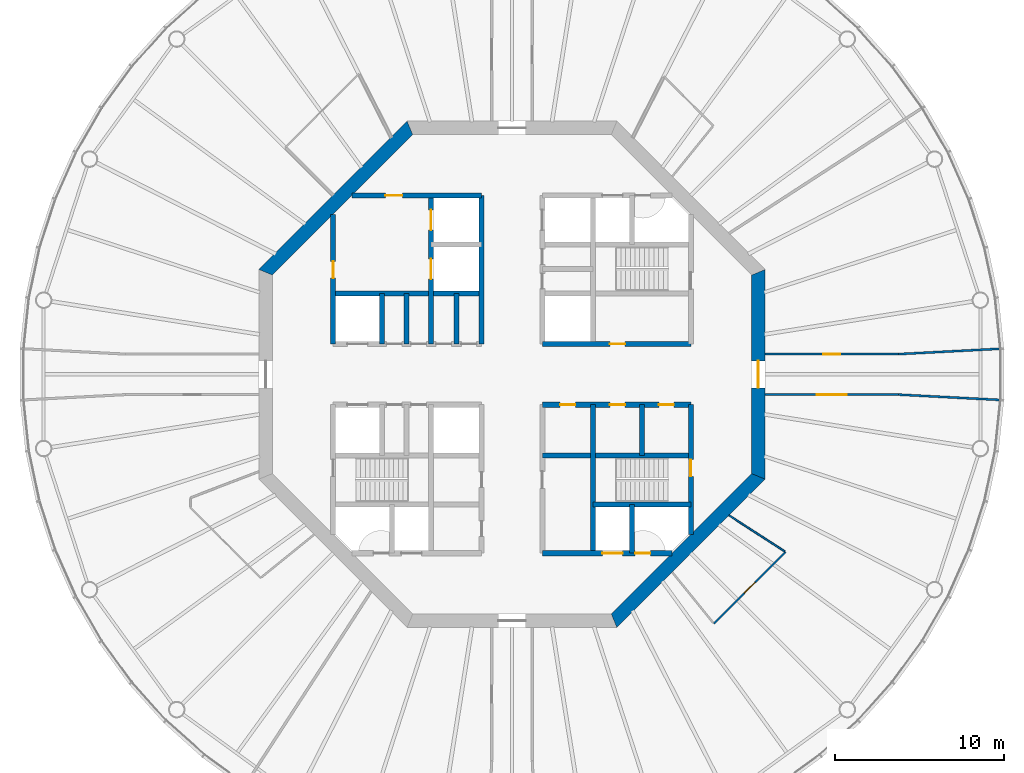
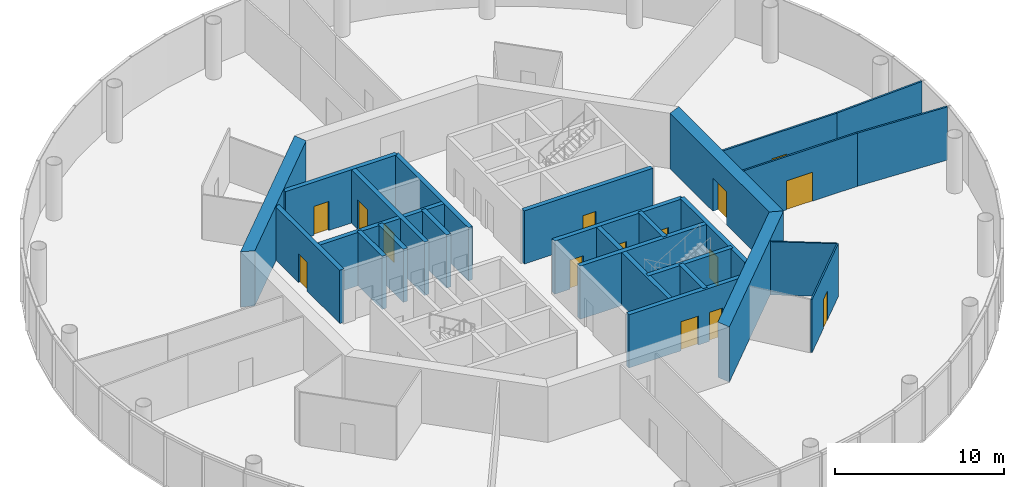
# One storey, part 4 of 13: 26 walls, 15 doors, 15 openings.
"""IFC4 building model written with IfcOpenShell, lengths in metres."""

from ifc_helpers import new_model, si_unit, direction, frame, frame_2d, origin, place, context, subcontext, project, spatial, polyline, rectangle, outline, extrude, material, layer, layer_set, type_object, element, fill, save


model = new_model("IFC4")

# Units and contexts
model_context = context("Model", 3, precision=1e-05, world=origin(), true_north=direction((0.0, 1.0)))
body_context = subcontext(model_context, "Body", "Model", "MODEL_VIEW")
ifc_project = project(units=[si_unit("LENGTHUNIT", "METRE"), si_unit("AREAUNIT", "SQUARE_METRE"), si_unit("VOLUMEUNIT", "CUBIC_METRE"), si_unit("PLANEANGLEUNIT", "RADIAN"), si_unit("MASSUNIT", "GRAM", prefix="KILO")], contexts=[model_context])

# Site, building, storey
site_placement = place(None, origin())
site = spatial("IfcSite", under=ifc_project, at=site_placement, CompositionType="ELEMENT")
building_placement = place(site_placement, origin())
building = spatial("IfcBuilding", under=site, at=building_placement, Name="Entoto Ring Tower", CompositionType="ELEMENT")
storey_placement = place(building_placement, frame((0.0, 0.0, 298.0)))
storey = spatial("IfcBuildingStorey", under=building, at=storey_placement, Name="L68", CompositionType="ELEMENT", Elevation=298.0)

# Wall, opening, door
ifc_material_1 = material(Name="Concrete C40/50", Category="concrete")
ifc_layer_1 = layer(ifc_material_1, 0.300048828125)
ifc_layer_set_1 = layer_set([ifc_layer_1], Name="Concrete C40/50")
wall_type_1 = type_object("IfcWallType", Name="Core enclosure wall 300 mm reinforced concrete", PredefinedType="SOLIDWALL", material=ifc_layer_set_1)
wall_1_placement = place(storey_placement, frame((100.60009765625, 70.518310546875, 0.0), z_axis=(0.0, 0.0, 1.0), x_axis=(0.0, 1.0, 0.0)))
wall_1 = element("IfcWall", 1, at=wall_1_placement, inside=storey, type_object=wall_type_1, Name="wall-L68-001", PredefinedType="SOLIDWALL", context=body_context, shape_type="SweptSolid", body=[
    extrude(rectangle(XDim=7.681640625, YDim=0.300048828125, at=frame_2d((3.8408203125, 0.0))), origin(), (0.0, 0.0, 1.0), 3.85009765625),
])
opening_1_placement = place(wall_1_placement, frame((3.431884765625, 0.0, 0.0)))
opening_1 = element("IfcOpeningElement", 2, at=opening_1_placement, cuts=wall_1, Name="Opening K-28", PredefinedType="OPENING", context=body_context, shape_type="SweptSolid", body=[
    extrude(rectangle(XDim=1.0, YDim=2.10009765625, at=frame_2d((0.5, 1.050048828125))), frame((0.0, 0.16015625, 0.0), z_axis=(0.0, -1.0, 0.0), x_axis=(1.0, 0.0, 0.0)), (0.0, 0.0, 1.0), 0.320068359375),
])
ifc_material_2 = material(Name="Steel door leaf, fire rated", Category="steel")
ifc_layer_2 = layer(ifc_material_2, 0.050048828125)
ifc_layer_set_2 = layer_set([ifc_layer_2], Name="Steel door leaf, fire rated")
door_type_1 = type_object("IfcDoorType", Name="Fire door FD60 1000 x 2100 single leaf", OperationType="NOTDEFINED", PredefinedType="DOOR", material=ifc_layer_set_2)
door_1_placement = place(opening_1_placement, origin())
door_1 = element("IfcDoor", 3, at=door_1_placement, inside=storey, type_object=door_type_1, Name="Door K-28", OperationType="SINGLE_SWING_RIGHT", OverallHeight=2.10009765625, OverallWidth=1.0, PredefinedType="DOOR", context=body_context, shape_type="SweptSolid", body=[
    extrude(rectangle(XDim=1.0, YDim=2.10009765625, at=frame_2d((0.5, 1.050048828125))), frame((0.0, 0.02490234375, 0.0), z_axis=(0.0, -1.0, 0.0), x_axis=(1.0, 0.0, 0.0)), (0.0, 0.0, 1.0), 0.050048828125),
])
fill(opening_1, door_1)

# Walls
wall_2_placement = place(storey_placement, frame((97.699951171875, 75.199951171875, 0.0), z_axis=(0.0, 0.0, 1.0), x_axis=(0.0, 1.0, 0.0)))
element("IfcWall", 4, at=wall_2_placement, inside=storey, type_object=wall_type_1, Name="wall-L68-003", PredefinedType="SOLIDWALL", context=body_context, shape_type="SweptSolid", body=[
    extrude(rectangle(XDim=3.0, YDim=0.300048828125, at=frame_2d((1.5, 0.0))), origin(), (0.0, 0.0, 1.0), 3.85009765625),
])
wall_3_placement = place(storey_placement, frame((97.10009765625, 69.39990234375, 0.0), z_axis=(0.0, 0.0, 1.0), x_axis=(0.0, 1.0, 0.0)))
element("IfcWall", 5, at=wall_3_placement, inside=storey, type_object=wall_type_1, Name="wall-L68-004", PredefinedType="SOLIDWALL", context=body_context, shape_type="SweptSolid", body=[
    extrude(rectangle(XDim=2.900146484375, YDim=0.300048828125, at=frame_2d((1.4501953125, 0.0))), origin(), (0.0, 0.0, 1.0), 3.85009765625),
])
for number, where, z_axis, x_axis, name in (
    (6, (94.800048828125, 69.39990234375, 0.0), (0.0, 0.0, 1.0), (0.0, 1.0, 0.0), "wall-L68-006"),
    (7, (88.199951171875, 81.800048828125, 0.0), (0.0, 0.0, 1.0), (0.0, 1.0, 0.0), "wall-L68-011"),
):
    element("IfcWall", number, at=place(storey_placement, frame(where, z_axis=z_axis, x_axis=x_axis)), inside=storey, type_object=wall_type_1, Name=name, PredefinedType="SOLIDWALL", context=body_context, shape_type="SweptSolid", body=[
        extrude(rectangle(XDim=8.800048828125, YDim=0.300048828125, at=frame_2d((4.39990234375, 0.0))), origin(), (0.0, 0.0, 1.0), 3.85009765625),
    ])
wall_4_placement = place(storey_placement, frame((86.699951171875, 81.800048828125, 0.0), z_axis=(0.0, 0.0, 1.0), x_axis=(0.0, 1.0, 0.0)))
element("IfcWall", 8, at=wall_4_placement, inside=storey, type_object=wall_type_1, Name="wall-L68-012", PredefinedType="SOLIDWALL", context=body_context, shape_type="SweptSolid", body=[
    extrude(rectangle(XDim=3.0, YDim=0.300048828125, at=frame_2d((1.5, 0.0))), origin(), (0.0, 0.0, 1.0), 3.85009765625),
])

# Wall, openings, doors
wall_5_placement = place(storey_placement, frame((85.199951171875, 81.800048828125, 0.0), z_axis=(0.0, 0.0, 1.0), x_axis=(0.0, 1.0, 0.0)))
wall_5 = element("IfcWall", 9, at=wall_5_placement, inside=storey, type_object=wall_type_1, Name="wall-L68-014", PredefinedType="SOLIDWALL", context=body_context, shape_type="SweptSolid", body=[
    extrude(rectangle(XDim=8.800048828125, YDim=0.300048828125, at=frame_2d((4.39990234375, 0.0))), origin(), (0.0, 0.0, 1.0), 3.85009765625),
])
opening_2_placement = place(wall_5_placement, frame((3.85009765625, 0.0, 0.0)))
opening_2 = element("IfcOpeningElement", 10, at=opening_2_placement, cuts=wall_5, Name="Opening LD", PredefinedType="OPENING", context=body_context, shape_type="SweptSolid", body=[
    extrude(rectangle(XDim=1.199951171875, YDim=2.10009765625, at=frame_2d((0.60009765625, 1.050048828125))), frame((0.0, 0.16015625, 0.0), z_axis=(0.0, -1.0, 0.0), x_axis=(1.0, 0.0, 0.0)), (0.0, 0.0, 1.0), 0.320068359375),
])
opening_3_placement = place(wall_5_placement, frame((6.75, 0.0, 0.0)))
opening_3 = element("IfcOpeningElement", 11, at=opening_3_placement, cuts=wall_5, Name="Opening LD", PredefinedType="OPENING", context=body_context, shape_type="SweptSolid", body=[
    extrude(rectangle(XDim=1.199951171875, YDim=2.10009765625, at=frame_2d((0.60009765625, 1.050048828125))), frame((0.0, 0.16015625, 0.0), z_axis=(0.0, -1.0, 0.0), x_axis=(1.0, 0.0, 0.0)), (0.0, 0.0, 1.0), 0.320068359375),
])
ifc_material_3 = material(Name="Steel and glass door leaf", Category="steel")
ifc_layer_3 = layer(ifc_material_3, 0.050048828125)
ifc_layer_set_3 = layer_set([ifc_layer_3], Name="Steel and glass door leaf")
door_type_2 = type_object("IfcDoorType", Name="Landing door 1200 x 2100 sliding", OperationType="DOUBLE_DOOR_SLIDING", PredefinedType="DOOR", material=ifc_layer_set_3)
door_2_placement = place(opening_2_placement, origin())
door_2 = element("IfcDoor", 12, at=door_2_placement, inside=storey, type_object=door_type_2, Name="Landing door FF1", OperationType="SLIDING_TO_RIGHT", OverallHeight=2.10009765625, OverallWidth=1.199951171875, PredefinedType="DOOR", context=body_context, shape_type="SweptSolid", body=[
    extrude(rectangle(XDim=1.199951171875, YDim=2.10009765625, at=frame_2d((0.60009765625, 1.050048828125))), frame((0.0, 0.02490234375, 0.0), z_axis=(0.0, -1.0, 0.0), x_axis=(1.0, 0.0, 0.0)), (0.0, 0.0, 1.0), 0.050048828125),
])
fill(opening_2, door_2)
door_3_placement = place(opening_3_placement, origin())
door_3 = element("IfcDoor", 13, at=door_3_placement, inside=storey, type_object=door_type_2, Name="Landing door FF2", OperationType="SLIDING_TO_RIGHT", OverallHeight=2.10009765625, OverallWidth=1.199951171875, PredefinedType="DOOR", context=body_context, shape_type="SweptSolid", body=[
    extrude(rectangle(XDim=1.199951171875, YDim=2.10009765625, at=frame_2d((0.60009765625, 1.050048828125))), frame((0.0, 0.02490234375, 0.0), z_axis=(0.0, -1.0, 0.0), x_axis=(1.0, 0.0, 0.0)), (0.0, 0.0, 1.0), 0.050048828125),
])
fill(opening_3, door_3)

# Walls
for number, where, z_axis, x_axis, name in (
    (14, (83.75, 81.800048828125, 0.0), (0.0, 0.0, 1.0), (0.0, 1.0, 0.0), "wall-L68-016"),
    (15, (82.300048828125, 81.800048828125, 0.0), (0.0, 0.0, 1.0), (0.0, 1.0, 0.0), "wall-L68-019"),
):
    element("IfcWall", number, at=place(storey_placement, frame(where, z_axis=z_axis, x_axis=x_axis)), inside=storey, type_object=wall_type_1, Name=name, PredefinedType="SOLIDWALL", context=body_context, shape_type="SweptSolid", body=[
        extrude(rectangle(XDim=3.0, YDim=0.300048828125, at=frame_2d((1.5, 0.0))), origin(), (0.0, 0.0, 1.0), 3.85009765625),
    ])

# Wall, opening, door
wall_6_placement = place(storey_placement, frame((79.39990234375, 81.800048828125, 0.0), z_axis=(0.0, 0.0, 1.0), x_axis=(0.0, 1.0, 0.0)))
wall_6 = element("IfcWall", 16, at=wall_6_placement, inside=storey, type_object=wall_type_1, Name="wall-L68-021", PredefinedType="SOLIDWALL", context=body_context, shape_type="SweptSolid", body=[
    extrude(rectangle(XDim=7.681640625, YDim=0.300048828125, at=frame_2d((3.8408203125, 0.0))), origin(), (0.0, 0.0, 1.0), 3.85009765625),
])
opening_4_placement = place(wall_6_placement, frame((3.89990234375, 0.0, 0.0)))
opening_4 = element("IfcOpeningElement", 17, at=opening_4_placement, cuts=wall_6, Name="Opening K-86", PredefinedType="OPENING", context=body_context, shape_type="SweptSolid", body=[
    extrude(rectangle(XDim=1.0, YDim=2.10009765625, at=frame_2d((0.5, 1.050048828125))), frame((0.0, 0.16015625, 0.0), z_axis=(0.0, -1.0, 0.0), x_axis=(1.0, 0.0, 0.0)), (0.0, 0.0, 1.0), 0.320068359375),
])
door_4_placement = place(opening_4_placement, frame((1.0, 0.0, 0.0), z_axis=(0.0, 0.0, 1.0), x_axis=(-1.0, 0.0, 0.0)))
door_4 = element("IfcDoor", 18, at=door_4_placement, inside=storey, type_object=door_type_1, Name="Door K-86", OperationType="SINGLE_SWING_RIGHT", OverallHeight=2.10009765625, OverallWidth=1.0, PredefinedType="DOOR", context=body_context, shape_type="SweptSolid", body=[
    extrude(rectangle(XDim=1.0, YDim=2.10009765625, at=frame_2d((0.5, 1.050048828125))), frame((0.0, 0.02490234375, 0.0), z_axis=(0.0, -1.0, 0.0), x_axis=(1.0, 0.0, 0.0)), (0.0, 0.0, 1.0), 0.050048828125),
])
fill(opening_4, door_4)

# Wall, openings, doors
wall_7_placement = place(storey_placement, frame((91.800048828125, 69.39990234375, 0.0), z_axis=(0.0, 0.0, 1.0), x_axis=(1.0, 0.0, 0.0)))
wall_7 = element("IfcWall", 19, at=wall_7_placement, inside=storey, type_object=wall_type_1, Name="wall-L68-023", PredefinedType="SOLIDWALL", context=body_context, shape_type="SweptSolid", body=[
    extrude(rectangle(XDim=7.681640625, YDim=0.300048828125, at=frame_2d((3.8408203125, 0.0))), origin(), (0.0, 0.0, 1.0), 3.85009765625),
])
opening_5_placement = place(wall_7_placement, frame((3.550048828125, 0.0, 0.0)))
opening_5 = element("IfcOpeningElement", 20, at=opening_5_placement, cuts=wall_7, Name="Opening LD", PredefinedType="OPENING", context=body_context, shape_type="SweptSolid", body=[
    extrude(rectangle(XDim=1.199951171875, YDim=2.10009765625, at=frame_2d((0.60009765625, 1.050048828125))), frame((0.0, 0.16015625, 0.0), z_axis=(0.0, -1.0, 0.0), x_axis=(1.0, 0.0, 0.0)), (0.0, 0.0, 1.0), 0.320068359375),
])
opening_6_placement = place(wall_7_placement, frame((5.5, 0.0, 0.0)))
opening_6 = element("IfcOpeningElement", 21, at=opening_6_placement, cuts=wall_7, Name="Opening K-85", PredefinedType="OPENING", context=body_context, shape_type="SweptSolid", body=[
    extrude(rectangle(XDim=0.89990234375, YDim=2.10009765625, at=frame_2d((0.449951171875, 1.050048828125))), frame((0.0, 0.16015625, 0.0), z_axis=(0.0, -1.0, 0.0), x_axis=(1.0, 0.0, 0.0)), (0.0, 0.0, 1.0), 0.320068359375),
])
door_5_placement = place(opening_5_placement, origin())
door_5 = element("IfcDoor", 22, at=door_5_placement, inside=storey, type_object=door_type_2, Name="Landing door LB2-HR", OperationType="SLIDING_TO_RIGHT", OverallHeight=2.10009765625, OverallWidth=1.199951171875, PredefinedType="DOOR", context=body_context, shape_type="SweptSolid", body=[
    extrude(rectangle(XDim=1.199951171875, YDim=2.10009765625, at=frame_2d((0.60009765625, 1.050048828125))), frame((0.0, 0.02490234375, 0.0), z_axis=(0.0, -1.0, 0.0), x_axis=(1.0, 0.0, 0.0)), (0.0, 0.0, 1.0), 0.050048828125),
])
fill(opening_5, door_5)
ifc_material_4 = material(Name="Steel door leaf, fire rated", Category="steel")
ifc_layer_4 = layer(ifc_material_4, 0.050048828125)
ifc_layer_set_4 = layer_set([ifc_layer_4], Name="Steel door leaf, fire rated")
door_type_3 = type_object("IfcDoorType", Name="Riser door FD60 900 x 2100 single leaf", OperationType="NOTDEFINED", PredefinedType="DOOR", material=ifc_layer_set_4)
door_6_placement = place(opening_6_placement, origin())
door_6 = element("IfcDoor", 23, at=door_6_placement, inside=storey, type_object=door_type_3, Name="Door K-85", OperationType="SINGLE_SWING_LEFT", OverallHeight=2.10009765625, OverallWidth=0.89990234375, PredefinedType="DOOR", context=body_context, shape_type="SweptSolid", body=[
    extrude(rectangle(XDim=0.89990234375, YDim=2.10009765625, at=frame_2d((0.449951171875, 1.050048828125))), frame((0.0, 0.02490234375, 0.0), z_axis=(0.0, -1.0, 0.0), x_axis=(1.0, 0.0, 0.0)), (0.0, 0.0, 1.0), 0.050048828125),
])
fill(opening_6, door_6)

# Walls
wall_8_placement = place(storey_placement, frame((94.800048828125, 72.300048828125, 0.0), z_axis=(0.0, 0.0, 1.0), x_axis=(1.0, 0.0, 0.0)))
element("IfcWall", 24, at=wall_8_placement, inside=storey, type_object=wall_type_1, Name="wall-L68-025", PredefinedType="SOLIDWALL", context=body_context, shape_type="SweptSolid", body=[
    extrude(rectangle(XDim=5.800048828125, YDim=0.300048828125, at=frame_2d((2.89990234375, 0.0))), origin(), (0.0, 0.0, 1.0), 3.85009765625),
])
wall_9_placement = place(storey_placement, frame((91.800048828125, 75.199951171875, 0.0), z_axis=(0.0, 0.0, 1.0), x_axis=(1.0, 0.0, 0.0)))
element("IfcWall", 25, at=wall_9_placement, inside=storey, type_object=wall_type_1, Name="wall-L68-027", PredefinedType="SOLIDWALL", context=body_context, shape_type="SweptSolid", body=[
    extrude(rectangle(XDim=8.800048828125, YDim=0.300048828125, at=frame_2d((4.39990234375, 0.0))), origin(), (0.0, 0.0, 1.0), 3.85009765625),
])

# Wall, openings, doors
wall_10_placement = place(storey_placement, frame((91.800048828125, 78.199951171875, 0.0), z_axis=(0.0, 0.0, 1.0), x_axis=(1.0, 0.0, 0.0)))
wall_10 = element("IfcWall", 26, at=wall_10_placement, inside=storey, type_object=wall_type_1, Name="wall-L68-029", PredefinedType="SOLIDWALL", context=body_context, shape_type="SweptSolid", body=[
    extrude(rectangle(XDim=8.800048828125, YDim=0.300048828125, at=frame_2d((4.39990234375, 0.0))), origin(), (0.0, 0.0, 1.0), 3.85009765625),
])
opening_7_placement = place(wall_10_placement, frame((4.0, 0.0, 0.0)))
opening_7 = element("IfcOpeningElement", 27, at=opening_7_placement, cuts=wall_10, Name="Opening K-14", PredefinedType="OPENING", context=body_context, shape_type="SweptSolid", body=[
    extrude(rectangle(XDim=0.89990234375, YDim=2.10009765625, at=frame_2d((0.449951171875, 1.050048828125))), frame((0.0, 0.16015625, 0.0), z_axis=(0.0, -1.0, 0.0), x_axis=(1.0, 0.0, 0.0)), (0.0, 0.0, 1.0), 0.320068359375),
])
opening_8_placement = place(wall_10_placement, frame((6.89990234375, 0.0, 0.0)))
opening_8 = element("IfcOpeningElement", 28, at=opening_8_placement, cuts=wall_10, Name="Opening K-15", PredefinedType="OPENING", context=body_context, shape_type="SweptSolid", body=[
    extrude(rectangle(XDim=0.89990234375, YDim=2.10009765625, at=frame_2d((0.449951171875, 1.050048828125))), frame((0.0, 0.16015625, 0.0), z_axis=(0.0, -1.0, 0.0), x_axis=(1.0, 0.0, 0.0)), (0.0, 0.0, 1.0), 0.320068359375),
])
opening_9_placement = place(wall_10_placement, frame((1.050048828125, 0.0, 0.0)))
opening_9 = element("IfcOpeningElement", 29, at=opening_9_placement, cuts=wall_10, Name="Opening K-25", PredefinedType="OPENING", context=body_context, shape_type="SweptSolid", body=[
    extrude(rectangle(XDim=0.89990234375, YDim=2.10009765625, at=frame_2d((0.449951171875, 1.050048828125))), frame((0.0, 0.16015625, 0.0), z_axis=(0.0, -1.0, 0.0), x_axis=(1.0, 0.0, 0.0)), (0.0, 0.0, 1.0), 0.320068359375),
])
ifc_material_5 = material(Name="Steel door leaf, fire rated", Category="steel")
ifc_layer_5 = layer(ifc_material_5, 0.050048828125)
ifc_layer_set_5 = layer_set([ifc_layer_5], Name="Steel door leaf, fire rated")
door_type_4 = type_object("IfcDoorType", Name="Core door 900 x 2100 single leaf", OperationType="NOTDEFINED", PredefinedType="DOOR", material=ifc_layer_set_5)
door_7_placement = place(opening_7_placement, frame((0.89990234375, 0.0, 0.0), z_axis=(0.0, 0.0, 1.0), x_axis=(-1.0, 0.0, 0.0)))
door_7 = element("IfcDoor", 30, at=door_7_placement, inside=storey, type_object=door_type_4, Name="Door K-14", OperationType="SINGLE_SWING_RIGHT", OverallHeight=2.10009765625, OverallWidth=0.89990234375, PredefinedType="DOOR", context=body_context, shape_type="SweptSolid", body=[
    extrude(rectangle(XDim=0.89990234375, YDim=2.10009765625, at=frame_2d((0.449951171875, 1.050048828125))), frame((0.0, 0.02490234375, 0.0), z_axis=(0.0, -1.0, 0.0), x_axis=(1.0, 0.0, 0.0)), (0.0, 0.0, 1.0), 0.050048828125),
])
fill(opening_7, door_7)
door_8_placement = place(opening_8_placement, frame((0.89990234375, 0.0, 0.0), z_axis=(0.0, 0.0, 1.0), x_axis=(-1.0, 0.0, 0.0)))
door_8 = element("IfcDoor", 31, at=door_8_placement, inside=storey, type_object=door_type_4, Name="Door K-15", OperationType="SINGLE_SWING_LEFT", OverallHeight=2.10009765625, OverallWidth=0.89990234375, PredefinedType="DOOR", context=body_context, shape_type="SweptSolid", body=[
    extrude(rectangle(XDim=0.89990234375, YDim=2.10009765625, at=frame_2d((0.449951171875, 1.050048828125))), frame((0.0, 0.02490234375, 0.0), z_axis=(0.0, -1.0, 0.0), x_axis=(1.0, 0.0, 0.0)), (0.0, 0.0, 1.0), 0.050048828125),
])
fill(opening_8, door_8)
door_9_placement = place(opening_9_placement, frame((0.89990234375, 0.0, 0.0), z_axis=(0.0, 0.0, 1.0), x_axis=(-1.0, 0.0, 0.0)))
door_9 = element("IfcDoor", 32, at=door_9_placement, inside=storey, type_object=door_type_4, Name="Door K-25", OperationType="SINGLE_SWING_RIGHT", OverallHeight=2.10009765625, OverallWidth=0.89990234375, PredefinedType="DOOR", context=body_context, shape_type="SweptSolid", body=[
    extrude(rectangle(XDim=0.89990234375, YDim=2.10009765625, at=frame_2d((0.449951171875, 1.050048828125))), frame((0.0, 0.02490234375, 0.0), z_axis=(0.0, -1.0, 0.0), x_axis=(1.0, 0.0, 0.0)), (0.0, 0.0, 1.0), 0.050048828125),
])
fill(opening_9, door_9)

# Wall, opening, door
wall_11_placement = place(storey_placement, frame((91.800048828125, 81.800048828125, 0.0), z_axis=(0.0, 0.0, 1.0), x_axis=(1.0, 0.0, 0.0)))
wall_11 = element("IfcWall", 33, at=wall_11_placement, inside=storey, type_object=wall_type_1, Name="wall-L68-031", PredefinedType="SOLIDWALL", context=body_context, shape_type="SweptSolid", body=[
    extrude(rectangle(XDim=8.800048828125, YDim=0.300048828125, at=frame_2d((4.39990234375, 0.0))), origin(), (0.0, 0.0, 1.0), 3.85009765625),
])
opening_10_placement = place(wall_11_placement, frame((4.0, 0.0, 0.0)))
opening_10 = element("IfcOpeningElement", 34, at=opening_10_placement, cuts=wall_11, Name="Opening K-11", PredefinedType="OPENING", context=body_context, shape_type="SweptSolid", body=[
    extrude(rectangle(XDim=0.89990234375, YDim=2.10009765625, at=frame_2d((0.449951171875, 1.050048828125))), frame((0.0, 0.16015625, 0.0), z_axis=(0.0, -1.0, 0.0), x_axis=(1.0, 0.0, 0.0)), (0.0, 0.0, 1.0), 0.320068359375),
])
door_10_placement = place(opening_10_placement, origin())
door_10 = element("IfcDoor", 35, at=door_10_placement, inside=storey, type_object=door_type_4, Name="Door K-11", OperationType="SINGLE_SWING_LEFT", OverallHeight=2.10009765625, OverallWidth=0.89990234375, PredefinedType="DOOR", context=body_context, shape_type="SweptSolid", body=[
    extrude(rectangle(XDim=0.89990234375, YDim=2.10009765625, at=frame_2d((0.449951171875, 1.050048828125))), frame((0.0, 0.02490234375, 0.0), z_axis=(0.0, -1.0, 0.0), x_axis=(1.0, 0.0, 0.0)), (0.0, 0.0, 1.0), 0.050048828125),
])
fill(opening_10, door_10)

# Wall
wall_12_placement = place(storey_placement, frame((79.39990234375, 84.800048828125, 0.0), z_axis=(0.0, 0.0, 1.0), x_axis=(1.0, 0.0, 0.0)))
element("IfcWall", 36, at=wall_12_placement, inside=storey, type_object=wall_type_1, Name="wall-L68-032", PredefinedType="SOLIDWALL", context=body_context, shape_type="SweptSolid", body=[
    extrude(rectangle(XDim=8.800048828125, YDim=0.300048828125, at=frame_2d((4.39990234375, 0.0))), origin(), (0.0, 0.0, 1.0), 3.85009765625),
])

# Wall, opening, door
wall_13_placement = place(storey_placement, frame((80.518310546875, 90.60009765625, 0.0), z_axis=(0.0, 0.0, 1.0), x_axis=(1.0, 0.0, 0.0)))
wall_13 = element("IfcWall", 37, at=wall_13_placement, inside=storey, type_object=wall_type_1, Name="wall-L68-037", PredefinedType="SOLIDWALL", context=body_context, shape_type="SweptSolid", body=[
    extrude(rectangle(XDim=7.681640625, YDim=0.300048828125, at=frame_2d((3.8408203125, 0.0))), origin(), (0.0, 0.0, 1.0), 3.85009765625),
])
opening_11_placement = place(wall_13_placement, frame((1.981689453125, 0.0, 0.0)))
opening_11 = element("IfcOpeningElement", 38, at=opening_11_placement, cuts=wall_13, Name="Opening K-87", PredefinedType="OPENING", context=body_context, shape_type="SweptSolid", body=[
    extrude(rectangle(XDim=1.0, YDim=2.10009765625, at=frame_2d((0.5, 1.050048828125))), frame((0.0, 0.16015625, 0.0), z_axis=(0.0, -1.0, 0.0), x_axis=(1.0, 0.0, 0.0)), (0.0, 0.0, 1.0), 0.320068359375),
])
door_11_placement = place(opening_11_placement, frame((1.0, 0.0, 0.0), z_axis=(0.0, 0.0, 1.0), x_axis=(-1.0, 0.0, 0.0)))
door_11 = element("IfcDoor", 39, at=door_11_placement, inside=storey, type_object=door_type_1, Name="Door K-87", OperationType="SINGLE_SWING_LEFT", OverallHeight=2.10009765625, OverallWidth=1.0, PredefinedType="DOOR", context=body_context, shape_type="SweptSolid", body=[
    extrude(rectangle(XDim=1.0, YDim=2.10009765625, at=frame_2d((0.5, 1.050048828125))), frame((0.0, 0.02490234375, 0.0), z_axis=(0.0, -1.0, 0.0), x_axis=(1.0, 0.0, 0.0)), (0.0, 0.0, 1.0), 0.050048828125),
])
fill(opening_11, door_11)

ifc_material_6 = material(Name="Concrete C40/50", Category="concrete")
ifc_layer_6 = layer(ifc_material_6, 0.800048828125)
ifc_layer_set_6 = layer_set([ifc_layer_6], Name="Concrete C40/50")
wall_type_2 = type_object("IfcWallType", Name="Core shear wall 800 mm reinforced concrete C40/50", PredefinedType="SHEAR", material=ifc_layer_set_6)
wall_14_placement = place(storey_placement, frame((104.60009765625, 73.952392578125, 0.0), z_axis=(0.0, 0.0, 1.0), x_axis=(0.0, 1.0, 0.0)))
wall_14 = element("IfcWall", 40, at=wall_14_placement, inside=storey, type_object=wall_type_2, Name="wall-L68-core-0", PredefinedType="SHEAR", context=body_context, shape_type="SweptSolid", body=[
    extrude(outline(polyline([(-0.165771484375, -0.39990234375), (12.260986328125, -0.39990234375), (11.929443359375, 0.39990234375), (0.165771484375, 0.39990234375), (-0.165771484375, -0.39990234375)])), origin(), (0.0, 0.0, 1.0), 4.0),
])
opening_12_placement = place(wall_14_placement, frame((5.24755859375, 0.0, 0.0)))
opening_12 = element("IfcOpeningElement", 41, at=opening_12_placement, cuts=wall_14, Name="Opening K-01", PredefinedType="OPENING", context=body_context, shape_type="SweptSolid", body=[
    extrude(rectangle(XDim=1.60009765625, YDim=2.39990234375, at=frame_2d((0.800048828125, 1.199951171875))), frame((0.0, 0.41015625, 0.0), z_axis=(0.0, -1.0, 0.0), x_axis=(1.0, 0.0, 0.0)), (0.0, 0.0, 1.0), 0.820068359375),
])
ifc_material_7 = material(Name="Steel door leaf, fire rated", Category="steel")
ifc_layer_7 = layer(ifc_material_7, 0.050048828125)
ifc_layer_set_7 = layer_set([ifc_layer_7], Name="Steel door leaf, fire rated")
door_type_5 = type_object("IfcDoorType", Name="Entrance door FD60 1600 x 2400 double leaf", OperationType="DOUBLE_DOOR_SINGLE_SWING", PredefinedType="DOOR", material=ifc_layer_set_7)
door_12_placement = place(opening_12_placement, origin())
door_12 = element("IfcDoor", 42, at=door_12_placement, inside=storey, type_object=door_type_5, Name="Entrance door K-01", OperationType="DOUBLE_DOOR_SINGLE_SWING", OverallHeight=2.39990234375, OverallWidth=1.60009765625, PredefinedType="DOOR", context=body_context, shape_type="SweptSolid", body=[
    extrude(rectangle(XDim=1.60009765625, YDim=2.39990234375, at=frame_2d((0.800048828125, 1.199951171875))), frame((0.0, 0.02490234375, 0.0), z_axis=(0.0, -1.0, 0.0), x_axis=(1.0, 0.0, 0.0)), (0.0, 0.0, 1.0), 0.050048828125),
])
fill(opening_12, door_12)

# Walls
for number, where, z_axis, x_axis, name in (
    (43, (83.952392578125, 94.60009765625, 0.0), (0.0, 0.0, 1.0), (-0.707106781187, -0.707106781187, 0.0), "wall-L68-core-3"),
    (44, (96.047607421875, 65.39990234375, 0.0), (0.0, 0.0, 1.0), (0.707106781187, 0.707106781187, 0.0), "wall-L68-core-7"),
):
    element("IfcWall", number, at=place(storey_placement, frame(where, z_axis=z_axis, x_axis=x_axis)), inside=storey, type_object=wall_type_2, Name=name, PredefinedType="SHEAR", context=body_context, shape_type="SweptSolid", body=[
        extrude(outline(polyline([(-0.165771484375, -0.39990234375), (12.2607421875, -0.39990234375), (11.92919921875, 0.39990234375), (0.165771484375, 0.39990234375), (-0.165771484375, -0.39990234375)])), origin(), (0.0, 0.0, 1.0), 4.0),
    ])

# Wall, opening, door
ifc_material_8 = material(Name="Fire-resisting plasterboard on steel studs", Category="steel")
ifc_layer_8 = layer(ifc_material_8, 0.125)
ifc_layer_set_8 = layer_set([ifc_layer_8], Name="Fire-resisting plasterboard on steel studs")
wall_type_3 = type_object("IfcWallType", Name="Corridor wall 125 mm one-hour plasterboard on steel studs", PredefinedType="PARTITIONING", material=ifc_layer_set_8)
wall_15_placement = place(storey_placement, frame((105.0, 78.800048828125, 0.0), z_axis=(0.0, 0.0, 1.0), x_axis=(1.0, 0.0, 0.0)))
wall_15 = element("IfcWall", 45, at=wall_15_placement, inside=storey, type_object=wall_type_3, Name="partition-L68-007", PredefinedType="PARTITIONING", context=body_context, shape_type="SweptSolid", body=[
    extrude(rectangle(XDim=7.8974609375, YDim=0.125, at=frame_2d((3.94873046875, 0.0))), origin(), (0.0, 0.0, 1.0), 3.85009765625),
])
opening_13_placement = place(wall_15_placement, frame((3.048583984375, 0.0, 0.0)))
opening_13 = element("IfcOpeningElement", 46, at=opening_13_placement, cuts=wall_15, Name="Opening A30-D09", PredefinedType="OPENING", context=body_context, shape_type="SweptSolid", body=[
    extrude(rectangle(XDim=1.800048828125, YDim=2.10009765625, at=frame_2d((0.89990234375, 1.050048828125))), frame((0.0, 0.072509765625, 0.0), z_axis=(0.0, -1.0, 0.0), x_axis=(1.0, 0.0, 0.0)), (0.0, 0.0, 1.0), 0.14501953125),
])
ifc_material_9 = material(Name="Fire-resisting timber door set", Category="wood")
door_type_6 = type_object("IfcDoorType", Name="Door 1800 x 2100 double leaf FD30S fire door", OperationType="DOUBLE_DOOR_SINGLE_SWING", PredefinedType="DOOR", material=ifc_material_9)
door_13_placement = place(opening_13_placement, frame((1.800048828125, 0.0, 0.0), z_axis=(0.0, 0.0, 1.0), x_axis=(-1.0, 0.0, 0.0)))
door_13 = element("IfcDoor", 47, at=door_13_placement, inside=storey, type_object=door_type_6, Name="Door A30-D09", OperationType="DOUBLE_DOOR_SINGLE_SWING", OverallHeight=2.10009765625, OverallWidth=1.800048828125, PredefinedType="DOOR", context=body_context, shape_type="SweptSolid", body=[
    extrude(rectangle(XDim=1.800048828125, YDim=2.10009765625, at=frame_2d((0.89990234375, 1.050048828125))), frame((0.0, 0.02490234375, 0.0), z_axis=(0.0, -1.0, 0.0), x_axis=(1.0, 0.0, 0.0)), (0.0, 0.0, 1.0), 0.050048828125),
])
fill(opening_13, door_13)

wall_16_placement = place(storey_placement, frame((105.0, 81.199951171875, 0.0), z_axis=(0.0, 0.0, 1.0), x_axis=(1.0, 0.0, 0.0)))
wall_16 = element("IfcWall", 48, at=wall_16_placement, inside=storey, type_object=wall_type_3, Name="partition-L68-008", PredefinedType="PARTITIONING", context=body_context, shape_type="SweptSolid", body=[
    extrude(rectangle(XDim=7.8974609375, YDim=0.125, at=frame_2d((3.94873046875, 0.0))), origin(), (0.0, 0.0, 1.0), 3.85009765625),
])
opening_14_placement = place(wall_16_placement, frame((3.44873046875, 0.0, 0.0)))
opening_14 = element("IfcOpeningElement", 49, at=opening_14_placement, cuts=wall_16, Name="Opening A30-D01", PredefinedType="OPENING", context=body_context, shape_type="SweptSolid", body=[
    extrude(rectangle(XDim=1.0, YDim=2.10009765625, at=frame_2d((0.5, 1.050048828125))), frame((0.0, 0.072509765625, 0.0), z_axis=(0.0, -1.0, 0.0), x_axis=(1.0, 0.0, 0.0)), (0.0, 0.0, 1.0), 0.14501953125),
])
ifc_material_10 = material(Name="Fire-resisting timber door set", Category="wood")
door_type_7 = type_object("IfcDoorType", Name="Door 1000 x 2100 single leaf FD30S fire door", OperationType="NOTDEFINED", PredefinedType="DOOR", material=ifc_material_10)
door_14_placement = place(opening_14_placement, origin())
door_14 = element("IfcDoor", 50, at=door_14_placement, inside=storey, type_object=door_type_7, Name="Door A30-D01", OperationType="SINGLE_SWING_LEFT", OverallHeight=2.10009765625, OverallWidth=1.0, PredefinedType="DOOR", context=body_context, shape_type="SweptSolid", body=[
    extrude(rectangle(XDim=1.0, YDim=2.10009765625, at=frame_2d((0.5, 1.050048828125))), frame((0.0, 0.02490234375, 0.0), z_axis=(0.0, -1.0, 0.0), x_axis=(1.0, 0.0, 0.0)), (0.0, 0.0, 1.0), 0.050048828125),
])
fill(opening_14, door_14)

# Walls
for number, where, z_axis, x_axis, name in (
    (51, (112.900634765625, 81.2001953125, 0.0), (0.0, 0.0, 1.0), (0.998629367342, 0.052339150565, 0.0), "partition-L68-015"),
    (52, (118.900390625, 78.4853515625, 0.0), (0.0, 0.0, 1.0), (-0.998629367342, 0.052339150565, 0.0), "partition-L68-016"),
):
    element("IfcWall", number, at=place(storey_placement, frame(where, z_axis=z_axis, x_axis=x_axis)), inside=storey, type_object=wall_type_3, Name=name, PredefinedType="PARTITIONING", context=body_context, shape_type="SweptSolid", body=[
        extrude(rectangle(XDim=6.008056640625, YDim=0.125, at=frame_2d((3.00390625, 0.0))), origin(), (0.0, 0.0, 1.0), 3.85009765625),
    ])

# Wall, opening, door
ifc_material_11 = material(Name="Plasterboard on steel studs", Category="steel")
ifc_layer_9 = layer(ifc_material_11, 0.10009765625)
ifc_layer_set_9 = layer_set([ifc_layer_9], Name="Plasterboard on steel studs")
wall_type_4 = type_object("IfcWallType", Name="Partition 100 mm plasterboard on steel studs", PredefinedType="PARTITIONING", material=ifc_layer_set_9)
wall_17_placement = place(storey_placement, frame((101.959716796875, 65.23095703125, 0.0), z_axis=(0.0, 0.0, 1.0), x_axis=(0.707106781187, 0.707106781187, 0.0)))
wall_17 = element("IfcWall", 53, at=wall_17_placement, inside=storey, type_object=wall_type_4, Name="partition-L68-020", PredefinedType="PARTITIONING", context=body_context, shape_type="SweptSolid", body=[
    extrude(rectangle(XDim=6.00390625, YDim=0.10009765625, at=frame_2d((3.001953125, 0.0))), origin(), (0.0, 0.0, 1.0), 3.85009765625),
])
opening_15_placement = place(wall_17_placement, frame((2.552001953125, 0.0, 0.0)))
opening_15 = element("IfcOpeningElement", 54, at=opening_15_placement, cuts=wall_17, Name="Opening A30-D10", PredefinedType="OPENING", context=body_context, shape_type="SweptSolid", body=[
    extrude(rectangle(XDim=0.89990234375, YDim=2.10009765625, at=frame_2d((0.449951171875, 1.050048828125))), frame((0.0, 0.06005859375, 0.0), z_axis=(0.0, -1.0, 0.0), x_axis=(1.0, 0.0, 0.0)), (0.0, 0.0, 1.0), 0.1201171875),
])
ifc_material_12 = material(Name="Veneered timber door leaf in timber frame", Category="wood")
door_type_8 = type_object("IfcDoorType", Name="Door 900 x 2100 single leaf timber veneer", OperationType="NOTDEFINED", PredefinedType="DOOR", material=ifc_material_12)
door_15_placement = place(opening_15_placement, origin())
door_15 = element("IfcDoor", 55, at=door_15_placement, inside=storey, type_object=door_type_8, Name="Door A30-D10", OperationType="SINGLE_SWING_RIGHT", OverallHeight=2.10009765625, OverallWidth=0.89990234375, PredefinedType="DOOR", context=body_context, shape_type="SweptSolid", body=[
    extrude(rectangle(XDim=0.89990234375, YDim=2.10009765625, at=frame_2d((0.449951171875, 1.050048828125))), frame((0.0, 0.02490234375, 0.0), z_axis=(0.0, -1.0, 0.0), x_axis=(1.0, 0.0, 0.0)), (0.0, 0.0, 1.0), 0.050048828125),
])
fill(opening_15, door_15)

# Wall
wall_18_placement = place(storey_placement, frame((106.1533203125, 69.510009765625, 0.0), z_axis=(0.0, 0.0, 1.0), x_axis=(-0.838677993621, 0.544627600307, 0.0)))
element("IfcWall", 56, at=wall_18_placement, inside=storey, type_object=wall_type_4, Name="partition-L68-028", PredefinedType="PARTITIONING", context=body_context, shape_type="SweptSolid", body=[
    extrude(rectangle(XDim=3.925537109375, YDim=0.10009765625, at=frame_2d((1.962890625, 0.0))), origin(), (0.0, 0.0, 1.0), 3.85009765625),
])

save(model, "model.ifc")
